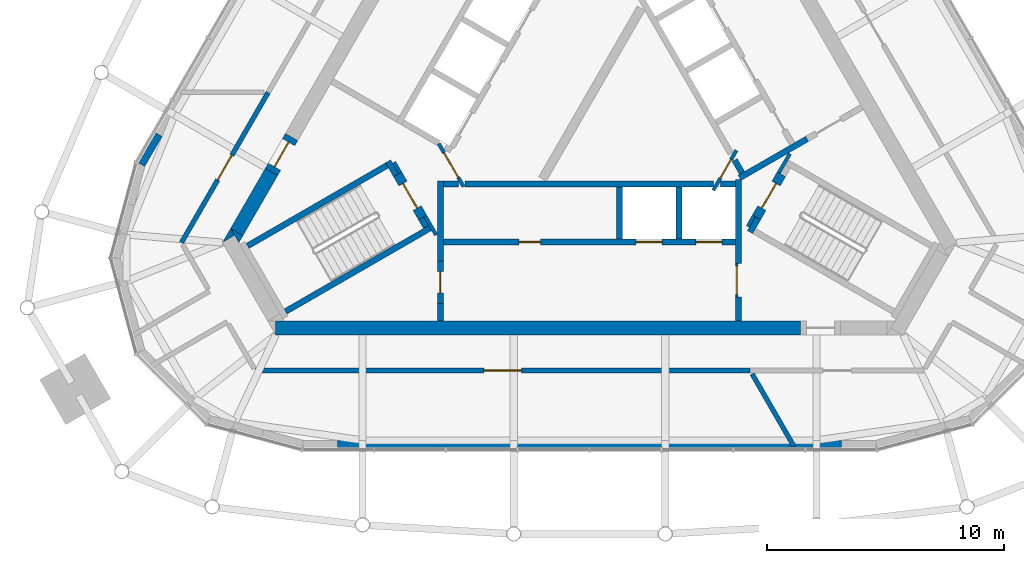
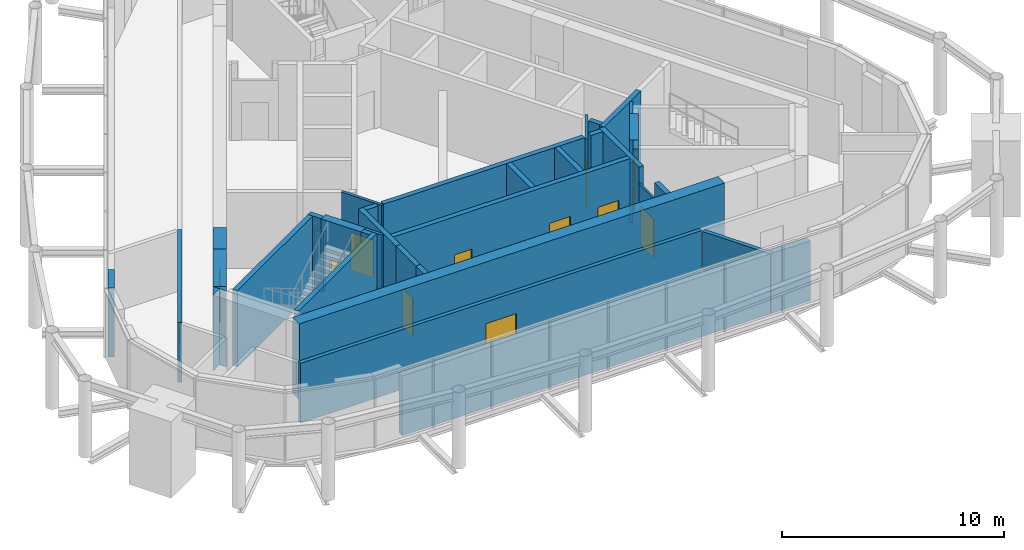
# One storey, part 7 of 11: 37 walls, 12 doors, 12 openings.
"""IFC4 building model written with IfcOpenShell, lengths in metres."""

import ifcopenshell
import ifcopenshell.guid

model = None  # the IFC model being written
_history = None  # IfcOwnerHistory: only IFC2X3 demands one
_inside = {}  # id of a spatial element -> (the spatial element, [elements in it])
_under = {}  # id of a project, library or spatial element -> (it, [spatial elements below it])
_declared = {}  # id of a project -> (the project, [libraries it declares])
_typed = {}  # id of a type object -> (the type object, [elements of that type])
_made_of = {}  # id of a material, layer set ... -> (it, [elements and type objects made of it])


def new_model(schema):
    """Start an empty IFC model of exactly this schema.

    Asked for "IFC4X3", IfcOpenShell would pick the latest addendum, in which some entities
    have other attributes; the version numbers below select the first issue.
    IFC2X3 requires an IfcOwnerHistory on every rooted entity: one is made here for all.
    """
    global model, _history
    if schema == "IFC4X3":
        model = ifcopenshell.file(schema_version=(4, 3, 0, 0))
    else:
        model = ifcopenshell.file(schema=schema)
    _inside.clear()
    _under.clear()
    _declared.clear()
    _typed.clear()
    _made_of.clear()
    _history = None
    if model.schema == "IFC2X3":
        org = make("IfcOrganization", Name="unknown")
        user = make(
            "IfcPersonAndOrganization",
            ThePerson=make("IfcPerson", FamilyName="unknown"),
            TheOrganization=org,
        )
        app = make(
            "IfcApplication",
            ApplicationDeveloper=org,
            Version="unknown",
            ApplicationFullName="unknown",
            ApplicationIdentifier="unknown",
        )
        _history = make(
            "IfcOwnerHistory",
            OwningUser=user,
            OwningApplication=app,
            ChangeAction="ADDED",
            CreationDate=0,
        )
    return model


def make(cls, **values):
    """One entity of the class cls with the attributes given. An attribute that is None is left unset."""
    return model.create_entity(
        cls, **{name: value for name, value in values.items() if value is not None}
    )


def rooted(cls, **values):
    """An entity with a GlobalId (a new one), such as an element, a storey or a relation."""
    return make(cls, GlobalId=ifcopenshell.guid.new(), OwnerHistory=_history, **values)


def si_unit(unit_type, name, prefix=None):
    """IfcSIUnit, for example si_unit("LENGTHUNIT", "METRE", prefix="MILLI")."""
    return make("IfcSIUnit", UnitType=unit_type, Prefix=prefix, Name=name)


def assignment(units):
    """IfcUnitAssignment: the units of a project."""
    return None if units is None else make("IfcUnitAssignment", Units=units)


def point(xyz):
    """IfcCartesianPoint."""
    return None if xyz is None else make("IfcCartesianPoint", Coordinates=xyz)


def direction(xyz):
    """IfcDirection."""
    return None if xyz is None else make("IfcDirection", DirectionRatios=xyz)


def frame(location, z_axis=None, x_axis=None):
    """IfcAxis2Placement3D, a coordinate frame: its origin and axes. An axis left out is left unset."""
    return make(
        "IfcAxis2Placement3D",
        Location=point(location),
        Axis=direction(z_axis),
        RefDirection=direction(x_axis),
    )


def frame_2d(location, x_axis=None):
    """IfcAxis2Placement2D, a coordinate frame in the plane: its origin and x axis."""
    return make(
        "IfcAxis2Placement2D", Location=point(location), RefDirection=direction(x_axis)
    )


def origin():
    """The frame at (0, 0, 0) with its axes left unset."""
    return frame((0.0, 0.0, 0.0))


def place(relative_to, where):
    """IfcLocalPlacement: puts the frame where relative to a parent placement (None: the world)."""
    return make(
        "IfcLocalPlacement", PlacementRelTo=relative_to, RelativePlacement=where
    )


def context(
    kind, dimensions, precision=None, world=None, true_north=None, identifier=None
):
    """IfcGeometricRepresentationContext, for example the 3D "Model" context."""
    return make(
        "IfcGeometricRepresentationContext",
        ContextIdentifier=identifier,
        ContextType=kind,
        CoordinateSpaceDimension=dimensions,
        Precision=precision,
        WorldCoordinateSystem=world,
        TrueNorth=true_north,
    )


def subcontext(parent, identifier, kind, view, scale=None):
    """IfcGeometricRepresentationSubContext, for example "Body" below "Model"."""
    return make(
        "IfcGeometricRepresentationSubContext",
        ContextIdentifier=identifier,
        ContextType=kind,
        ParentContext=parent,
        TargetScale=scale,
        TargetView=view,
    )


def project(units=None, contexts=None):
    """IfcProject with its units and contexts."""
    return rooted(
        "IfcProject",
        Name="project",
        RepresentationContexts=contexts,
        UnitsInContext=assignment(units),
    )


def spatial(cls, under=None, at=None, **own):
    """A site, building, storey or space (cls), placed at a placement, below another one or the project."""
    s = rooted(cls, ObjectPlacement=at, **own)
    if under is not None:
        _under.setdefault(under.id(), (under, []))[1].append(s)
    return s


def polyline(points):
    """IfcPolyline through the points."""
    return make("IfcPolyline", Points=[point(p) for p in points])


def profile(cls, at=None, kind="AREA", **sizes):
    """A parametric profile (cls). Its sizes go by their IFC names, for example OverallWidth=200.0."""
    return make(cls, ProfileType=kind, Position=at, **sizes)


def rectangle(**sizes):
    """IfcRectangleProfileDef."""
    return profile("IfcRectangleProfileDef", **sizes)


def outline(outer, holes=None, kind="AREA"):
    """IfcArbitraryClosedProfileDef: a profile drawn as a closed curve; with holes, ...WithVoids."""
    if holes is None:
        return make("IfcArbitraryClosedProfileDef", ProfileType=kind, OuterCurve=outer)
    return make(
        "IfcArbitraryProfileDefWithVoids",
        ProfileType=kind,
        OuterCurve=outer,
        InnerCurves=holes,
    )


def extrude(swept, where, along, depth):
    """IfcExtrudedAreaSolid: the profile swept, set in the frame where, extruded along a direction by depth."""
    return make(
        "IfcExtrudedAreaSolid",
        SweptArea=swept,
        Position=where,
        ExtrudedDirection=direction(along),
        Depth=depth,
    )


def shape(context_of_items, identifier, shape_type, items):
    """IfcShapeRepresentation: the items that make up one representation, for example the "Body"."""
    return make(
        "IfcShapeRepresentation",
        ContextOfItems=context_of_items,
        RepresentationIdentifier=identifier,
        RepresentationType=shape_type,
        Items=items,
    )


def material(Name=None, Category=None):
    """IfcMaterial."""
    return make("IfcMaterial", Name=Name, Category=Category)


def layer(
    of_material, thickness, ventilated=None, Name=None, Category=None, Priority=None
):
    """IfcMaterialLayer: one layer of a wall or slab, of a material (None: an air gap)."""
    return make(
        "IfcMaterialLayer",
        Material=of_material,
        LayerThickness=thickness,
        IsVentilated=ventilated,
        Name=Name,
        Category=Category,
        Priority=Priority,
    )


def layer_set(layers, Name=None):
    """IfcMaterialLayerSet."""
    return make("IfcMaterialLayerSet", MaterialLayers=layers, LayerSetName=Name)


def made_of(thing, what):
    """Note that an element or type object is made of a material, layer set ...; save() writes the relation."""
    if what is not None:
        _made_of.setdefault(what.id(), (what, []))[1].append(thing)
    return thing


def type_object(cls, material=None, **own):
    """A type object (cls), such as IfcWallType, which elements share."""
    return made_of(rooted(cls, **own), material)


def element(
    cls,
    number,
    at=None,
    inside=None,
    cuts=None,
    type_object=None,
    material=None,
    context=None,
    identifier="Body",
    shape_type=None,
    held_by="IfcProductDefinitionShape",
    body=None,
    shapes=None,
    **own,
):
    """One element of the class cls, such as IfcWall. Its Tag is "e" and its number.

    at: its placement. inside: the storey or other place that contains it. cuts: it is an
    opening in that element (IfcRelVoidsElement). A single representation is given by context,
    identifier, shape_type and body (its items); several are given by shapes. held_by: the class
    of the entity that holds the representations. save() writes the other relations.
    """
    e = rooted(cls, Tag="e%d" % number, ObjectPlacement=at, **own)
    if body is not None:
        shapes = [shape(context, identifier, shape_type, body)]
    if shapes is not None:
        e.Representation = make(held_by, Representations=shapes)
    if inside is not None:
        _inside.setdefault(inside.id(), (inside, []))[1].append(e)
    if cuts is not None:
        rooted(
            "IfcRelVoidsElement", RelatingBuildingElement=cuts, RelatedOpeningElement=e
        )
    if type_object is not None:
        _typed.setdefault(type_object.id(), (type_object, []))[1].append(e)
    return made_of(e, material)


def fill(opening, filler):
    """IfcRelFillsElement: the door or window that sits in an opening."""
    return rooted(
        "IfcRelFillsElement",
        RelatingOpeningElement=opening,
        RelatedBuildingElement=filler,
    )


def aggregate(whole, parts):
    """IfcRelAggregates: a whole, such as a stair, and the parts it consists of."""
    return rooted("IfcRelAggregates", RelatingObject=whole, RelatedObjects=parts)


def save(model, path):
    """Write the relations noted so far, then the file.

    IfcRelAggregates (storeys below a building ...), IfcRelContainedInSpatialStructure (elements
    in a storey), IfcRelDefinesByType, IfcRelAssociatesMaterial and IfcRelDeclares: one each for
    every whole, place, type object, material and project.
    """
    for whole, parts in _under.values():
        aggregate(whole, parts)
    for where, things in _inside.values():
        rooted(
            "IfcRelContainedInSpatialStructure",
            RelatedElements=things,
            RelatingStructure=where,
        )
    for kind, things in _typed.values():
        rooted("IfcRelDefinesByType", RelatedObjects=things, RelatingType=kind)
    for what, things in _made_of.values():
        rooted("IfcRelAssociatesMaterial", RelatedObjects=things, RelatingMaterial=what)
    for by, libraries in _declared.values():
        rooted("IfcRelDeclares", RelatingContext=by, RelatedDefinitions=libraries)
    model.write(path)


model = new_model("IFC4")

# Units and contexts
model_context = context("Model", 3, precision=1e-05, world=origin(), true_north=direction((0.0, 1.0)))
body_context = subcontext(model_context, "Body", "Model", "MODEL_VIEW")
ifc_project = project(units=[si_unit("LENGTHUNIT", "METRE"), si_unit("AREAUNIT", "SQUARE_METRE"), si_unit("VOLUMEUNIT", "CUBIC_METRE"), si_unit("PLANEANGLEUNIT", "RADIAN"), si_unit("MASSUNIT", "GRAM", prefix="KILO")], contexts=[model_context])

# Site, building, storey
site_placement = place(None, origin())
site = spatial("IfcSite", under=ifc_project, at=site_placement, CompositionType="ELEMENT")
building_placement = place(site_placement, origin())
building = spatial("IfcBuilding", under=site, at=building_placement, Name="Mestral Congress Tower", CompositionType="ELEMENT")
storey_placement = place(building_placement, frame((0.0, 0.0, 344.39990234375)))
storey = spatial("IfcBuildingStorey", under=building, at=storey_placement, Name="L80", CompositionType="ELEMENT", Elevation=344.39990234375)

# Walls
ifc_material_1 = material(Name="Fire-rated board partition")
ifc_layer_1 = layer(ifc_material_1, 0.14990234375)
ifc_layer_set_1 = layer_set([ifc_layer_1], Name="Fire-rated board partition")
wall_type_1 = type_object("IfcWallType", Name="Core partition 150", PredefinedType="PARTITIONING", material=ifc_layer_set_1)
for number, where, z_axis, x_axis, name in (
    (1, (-8.251953125, -2.958251953125, 0.0), (0.0, 0.0, 1.0), (0.500174715838, -0.865924508047, 0.0), "L80 core wall"),
    (2, (6.94482421875, -5.22216796875, 0.0), (0.0, 0.0, 1.0), (-0.499818422106, -0.866130212453, 0.0), "L80 core wall"),
):
    element("IfcWall", number, at=place(storey_placement, frame(where, z_axis=z_axis, x_axis=x_axis)), inside=storey, type_object=wall_type_1, Name=name, PredefinedType="PARTITIONING", context=body_context, shape_type="SweptSolid", body=[
        extrude(rectangle(XDim=0.513916015625, YDim=0.14990234375, at=frame_2d((0.2568359375, 0.0))), origin(), (0.0, 0.0, 1.0), 3.300048828125),
    ])

# Wall, opening, door
ifc_layer_2 = layer(ifc_material_1, 0.090087890625)
ifc_layer_set_2 = layer_set([ifc_layer_2], Name="Fire-rated board partition")
wall_type_2 = type_object("IfcWallType", Name="Core partition 150 door-wall 90", PredefinedType="PARTITIONING", material=ifc_layer_set_2)
wall_1_placement = place(storey_placement, frame((6.219970703125, -7.23681640625, 0.0), z_axis=(0.0, 0.0, 1.0), x_axis=(0.0, -1.0, 0.0)))
wall_1 = element("IfcWall", 3, at=wall_1_placement, inside=storey, type_object=wall_type_2, Name="L80 door wall", PredefinedType="PARTITIONING", context=body_context, shape_type="SweptSolid", body=[
    extrude(rectangle(XDim=1.400146484375, YDim=0.090087890625, at=frame_2d((0.7001953125, 0.0))), origin(), (0.0, 0.0, 1.0), 3.300048828125),
])
opening_1_placement = place(wall_1_placement, frame((0.10009765625, 0.0, 0.0)))
opening_1 = element("IfcOpeningElement", 4, at=opening_1_placement, cuts=wall_1, Name="Opening LB0-WL1", PredefinedType="OPENING", context=body_context, shape_type="SweptSolid", body=[
    extrude(rectangle(XDim=1.199951171875, YDim=2.10009765625, at=frame_2d((0.60009765625, 1.050048828125))), frame((0.0, 0.054931640625, 0.0), z_axis=(0.0, -1.0, 0.0), x_axis=(1.0, 0.0, 0.0)), (0.0, 0.0, 1.0), 0.110107421875),
])
ifc_material_2 = material(Name="Fire-rated steel door set", Category="steel")
door_type_1 = type_object("IfcDoorType", Name="Core door LB 1200x2100", OperationType="SINGLE_SWING_LEFT", PredefinedType="DOOR", material=ifc_material_2)
door_1_placement = place(opening_1_placement, origin())
door_1 = element("IfcDoor", 5, at=door_1_placement, inside=storey, type_object=door_type_1, Name="Door LB0-WL1", OperationType="SINGLE_SWING_LEFT", OverallHeight=2.10009765625, OverallWidth=1.199951171875, PredefinedType="DOOR", context=body_context, shape_type="SweptSolid", body=[
    extrude(rectangle(XDim=1.199951171875, YDim=2.10009765625, at=frame_2d((0.60009765625, 1.050048828125))), frame((0.0, 0.02490234375, 0.0), z_axis=(0.0, -1.0, 0.0), x_axis=(1.0, 0.0, 0.0)), (0.0, 0.0, 1.0), 0.050048828125),
])
fill(opening_1, door_1)

# Walls
ifc_material_3 = material(Name="Concrete C60/75", Category="concrete")
ifc_layer_3 = layer(ifc_material_3, 0.60009765625)
ifc_layer_set_3 = layer_set([ifc_layer_3], Name="Concrete C60/75")
wall_type_3 = type_object("IfcWallType", Name="Core wall RC 600", PredefinedType="SOLIDWALL", material=ifc_layer_set_3)
wall_2_placement = place(storey_placement, frame((8.904296875, -9.949951171875, 0.0), z_axis=(0.0, 0.0, 1.0), x_axis=(-1.0, 0.0, 0.0)))
element("IfcWall", 6, at=wall_2_placement, inside=storey, type_object=wall_type_3, Name="L80 core wall", PredefinedType="SOLIDWALL", context=body_context, shape_type="SweptSolid", body=[
    extrude(rectangle(XDim=22.160888671875, YDim=0.60009765625, at=frame_2d((11.08056640625, 0.0))), origin(), (0.0, 0.0, 1.0), 4.2001953125),
])
placement = place(storey_placement, origin())
element("IfcWall", 7, at=placement, inside=storey, type_object=wall_type_3, Name="L80 core wall", PredefinedType="SOLIDWALL", context=body_context, shape_type="SweptSolid", body=[
    extrude(outline(polyline([(-14.986572265625, -6.042724609375), (-15.493408203125, -6.33544921875), (-15.155517578125, -5.75), (-14.986572265625, -6.042724609375)])), origin(), (0.0, 0.0, 1.0), 4.2001953125),
])
wall_4_placement = place(storey_placement, frame((-13.431640625, -3.3642578125, 0.0), z_axis=(0.0, 0.0, 1.0), x_axis=(-0.499960127962, -0.866048422692, 0.0)))
element("IfcWall", 8, at=wall_4_placement, inside=storey, type_object=wall_type_3, Name="L80 core wall", PredefinedType="SOLIDWALL", context=body_context, shape_type="SweptSolid", body=[
    extrude(rectangle(XDim=2.934326171875, YDim=0.60009765625, at=frame_2d((1.46728515625, 0.0))), origin(), (0.0, 0.0, 1.0), 4.2001953125),
])
element("IfcWall", 9, at=placement, inside=storey, type_object=wall_type_3, Name="L80 core wall", PredefinedType="SOLIDWALL", context=body_context, shape_type="SweptSolid", body=[
    extrude(outline(polyline([(-14.80908203125, -6.35009765625), (-15.147216796875, -5.764404296875), (-14.639892578125, -6.057373046875), (-14.80908203125, -6.35009765625)])), origin(), (0.0, 0.0, 1.0), 4.2001953125),
])

# Wall, opening, door
wall_6_placement = place(storey_placement, frame((-13.431640625, -3.3642578125, 0.0), z_axis=(0.0, 0.0, 1.0), x_axis=(0.500000056704, 0.866025371046, 0.0)))
wall_6 = element("IfcWall", 10, at=wall_6_placement, inside=storey, type_object=wall_type_3, Name="L80 door wall", PredefinedType="SOLIDWALL", context=body_context, shape_type="SweptSolid", body=[
    extrude(rectangle(XDim=1.7001953125, YDim=0.60009765625, at=frame_2d((0.85009765625, 0.0))), origin(), (0.0, 0.0, 1.0), 4.2001953125),
])
opening_2_placement = place(wall_6_placement, frame((0.25, 0.0, 0.0)))
opening_2 = element("IfcOpeningElement", 11, at=opening_2_placement, cuts=wall_6, Name="Opening XD3", PredefinedType="OPENING", context=body_context, shape_type="SweptSolid", body=[
    extrude(rectangle(XDim=1.199951171875, YDim=2.10009765625, at=frame_2d((0.60009765625, 1.050048828125))), frame((0.0, 0.31005859375, 0.0), z_axis=(0.0, -1.0, 0.0), x_axis=(1.0, 0.0, 0.0)), (0.0, 0.0, 1.0), 0.6201171875),
])
door_type_2 = type_object("IfcDoorType", Name="Core door XD 1200x2100", OperationType="SINGLE_SWING_LEFT", PredefinedType="DOOR", material=ifc_material_2)
door_2_placement = place(opening_2_placement, origin())
door_2 = element("IfcDoor", 12, at=door_2_placement, inside=storey, type_object=door_type_2, Name="Door XD3", OperationType="SINGLE_SWING_LEFT", OverallHeight=2.10009765625, OverallWidth=1.199951171875, PredefinedType="DOOR", context=body_context, shape_type="SweptSolid", body=[
    extrude(rectangle(XDim=1.199951171875, YDim=2.10009765625, at=frame_2d((0.60009765625, 1.050048828125))), frame((0.0, 0.02490234375, 0.0), z_axis=(0.0, -1.0, 0.0), x_axis=(1.0, 0.0, 0.0)), (0.0, 0.0, 1.0), 0.050048828125),
])
fill(opening_2, door_2)

# Walls
ifc_material_4 = material(Name="Precast concrete C40/50 with limestone facing", Category="masonry")
ifc_layer_4 = layer(ifc_material_4, 0.300048828125)
ifc_layer_set_4 = layer_set([ifc_layer_4], Name="Precast concrete C40/50 with limestone facing")
wall_type_4 = type_object("IfcWallType", Name="Crown plant block wall 300", PredefinedType="SOLIDWALL", material=ifc_layer_set_4)
wall_7_placement = place(storey_placement, frame((-18.180908203125, -1.790283203125, 0.0), z_axis=(0.0, 0.0, 1.0), x_axis=(-0.500049712553, -0.865996700326, 0.0)))
element("IfcWall", 13, at=wall_7_placement, inside=storey, type_object=wall_type_4, Name="Plant block wall 10", PredefinedType="SOLIDWALL", context=body_context, shape_type="SweptSolid", body=[
    extrude(rectangle(XDim=1.463623046875, YDim=0.300048828125, at=frame_2d((0.73193359375, 0.0))), origin(), (0.0, 0.0, 1.0), 3.800048828125),
])
ifc_layer_5 = layer(ifc_material_4, 0.300048828125)
ifc_layer_set_5 = layer_set([ifc_layer_5], Name="Precast concrete C40/50 with limestone facing")
wall_type_5 = type_object("IfcWallType", Name="Crown plant block wall 300 under girder", PredefinedType="SOLIDWALL", material=ifc_layer_set_5)
wall_8_placement = place(storey_placement, frame((-10.640869140625, -14.85009765625, 0.0), z_axis=(0.0, 0.0, 1.0), x_axis=(1.0, 0.0, 0.0)))
element("IfcWall", 14, at=wall_8_placement, inside=storey, type_object=wall_type_5, Name="Plant block wall 15", PredefinedType="SOLIDWALL", context=body_context, shape_type="SweptSolid", body=[
    extrude(rectangle(XDim=21.28173828125, YDim=0.300048828125, at=frame_2d((10.640869140625, 0.0))), origin(), (0.0, 0.0, 1.0), 3.300048828125),
])
ifc_layer_6 = layer(ifc_material_3, 0.25)
ifc_layer_set_6 = layer_set([ifc_layer_6], Name="Concrete C60/75")
wall_type_6 = type_object("IfcWallType", Name="Shaft wall RC 250", PredefinedType="SOLIDWALL", material=ifc_layer_set_6)
wall_9_placement = place(storey_placement, frame((6.300048828125, -7.239990234375, 0.0), z_axis=(0.0, 0.0, 1.0), x_axis=(0.0, 1.0, 0.0)))
element("IfcWall", 15, at=wall_9_placement, inside=storey, type_object=wall_type_6, Name="L80 core wall", PredefinedType="SOLIDWALL", context=body_context, shape_type="SweptSolid", body=[
    extrude(rectangle(XDim=3.55615234375, YDim=0.25, at=frame_2d((1.778076171875, 0.0))), origin(), (0.0, 0.0, 1.0), 4.2001953125),
])
wall_10_placement = place(storey_placement, frame((6.300048828125, -9.64990234375, 0.0), z_axis=(0.0, 0.0, 1.0), x_axis=(0.0, 1.0, 0.0)))
element("IfcWall", 16, at=wall_10_placement, inside=storey, type_object=wall_type_6, Name="L80 core wall", PredefinedType="SOLIDWALL", context=body_context, shape_type="SweptSolid", body=[
    extrude(rectangle(XDim=1.0078125, YDim=0.25, at=frame_2d((0.50390625, 0.0))), origin(), (0.0, 0.0, 1.0), 4.2001953125),
])
wall_11_placement = place(storey_placement, frame((5.538330078125, -3.875, 0.0), z_axis=(0.0, 0.0, 1.0), x_axis=(1.0, 0.0, 0.0)))
element("IfcWall", 17, at=wall_11_placement, inside=storey, type_object=wall_type_6, Name="L80 core wall", PredefinedType="SOLIDWALL", context=body_context, shape_type="SweptSolid", body=[
    extrude(rectangle(XDim=0.63671875, YDim=0.25, at=frame_2d((0.318359375, 0.0))), origin(), (0.0, 0.0, 1.0), 4.2001953125),
])
wall_12_placement = place(storey_placement, frame((-5.25927734375, -3.875, 0.0), z_axis=(0.0, 0.0, 1.0), x_axis=(1.0, 0.0, 0.0)))
element("IfcWall", 18, at=wall_12_placement, inside=storey, type_object=wall_type_6, Name="L80 core wall", PredefinedType="SOLIDWALL", context=body_context, shape_type="SweptSolid", body=[
    extrude(rectangle(XDim=10.488525390625, YDim=0.25, at=frame_2d((5.244140625, 0.0))), origin(), (0.0, 0.0, 1.0), 4.2001953125),
])
for number, where, z_axis, x_axis, name in (
    (19, (1.260009765625, -4.0, 0.0), (0.0, 0.0, 1.0), (0.0, -1.0, 0.0), "L80 core wall"),
    (20, (3.780029296875, -4.0, 0.0), (0.0, 0.0, 1.0), (0.0, -1.0, 0.0), "L80 core wall"),
):
    element("IfcWall", number, at=place(storey_placement, frame(where, z_axis=z_axis, x_axis=x_axis)), inside=storey, type_object=wall_type_6, Name=name, PredefinedType="SOLIDWALL", context=body_context, shape_type="SweptSolid", body=[
        extrude(rectangle(XDim=2.199951171875, YDim=0.25, at=frame_2d((1.10009765625, 0.0))), origin(), (0.0, 0.0, 1.0), 4.2001953125),
    ])
wall_13_placement = place(storey_placement, frame((-6.300048828125, -7.12451171875, 0.0), z_axis=(0.0, 0.0, 1.0), x_axis=(0.0, 1.0, 0.0)))
element("IfcWall", 21, at=wall_13_placement, inside=storey, type_object=wall_type_6, Name="L80 core wall", PredefinedType="SOLIDWALL", context=body_context, shape_type="SweptSolid", body=[
    extrude(rectangle(XDim=3.37451171875, YDim=0.25, at=frame_2d((1.687255859375, 0.0))), origin(), (0.0, 0.0, 1.0), 4.2001953125),
])
wall_14_placement = place(storey_placement, frame((-6.175048828125, -3.875, 0.0), z_axis=(0.0, 0.0, 1.0), x_axis=(1.0, 0.0, 0.0)))
element("IfcWall", 22, at=wall_14_placement, inside=storey, type_object=wall_type_6, Name="L80 core wall", PredefinedType="SOLIDWALL", context=body_context, shape_type="SweptSolid", body=[
    extrude(rectangle(XDim=0.63671875, YDim=0.25, at=frame_2d((0.318359375, 0.0))), origin(), (0.0, 0.0, 1.0), 4.2001953125),
])
wall_15_placement = place(storey_placement, frame((-6.300048828125, -8.9248046875, 0.0), z_axis=(0.0, 0.0, 1.0), x_axis=(0.0, -1.0, 0.0)))
element("IfcWall", 23, at=wall_15_placement, inside=storey, type_object=wall_type_6, Name="L80 core wall", PredefinedType="SOLIDWALL", context=body_context, shape_type="SweptSolid", body=[
    extrude(rectangle(XDim=0.72509765625, YDim=0.25, at=frame_2d((0.362548828125, 0.0))), origin(), (0.0, 0.0, 1.0), 4.2001953125),
])
wall_16_placement = place(storey_placement, frame((9.190185546875, -1.96875, 0.0), z_axis=(0.0, 0.0, 1.0), x_axis=(-0.866057109641, -0.499945079824, 0.0)))
element("IfcWall", 24, at=wall_16_placement, inside=storey, type_object=wall_type_6, Name="L80 core wall", PredefinedType="SOLIDWALL", context=body_context, shape_type="SweptSolid", body=[
    extrude(rectangle(XDim=3.290771484375, YDim=0.25, at=frame_2d((1.6455078125, 0.0))), origin(), (0.0, 0.0, 1.0), 4.2001953125),
])
wall_17_placement = place(storey_placement, frame((6.1298828125, -2.867431640625, 0.0), z_axis=(0.0, 0.0, 1.0), x_axis=(0.500160776593, -0.865932559475, 0.0)))
element("IfcWall", 25, at=wall_17_placement, inside=storey, type_object=wall_type_6, Name="L80 core wall", PredefinedType="SOLIDWALL", context=body_context, shape_type="SweptSolid", body=[
    extrude(rectangle(XDim=0.626708984375, YDim=0.25, at=frame_2d((0.3134765625, 0.0))), origin(), (0.0, 0.0, 1.0), 4.2001953125),
])

# Wall, openings, doors
wall_18_placement = place(storey_placement, frame((-6.175048828125, -6.324951171875, 0.0), z_axis=(0.0, 0.0, 1.0), x_axis=(1.0, 0.0, 0.0)))
wall_18 = element("IfcWall", 26, at=wall_18_placement, inside=storey, type_object=wall_type_6, Name="L80 door wall", PredefinedType="SOLIDWALL", context=body_context, shape_type="SweptSolid", body=[
    extrude(rectangle(XDim=12.35009765625, YDim=0.25, at=frame_2d((6.175048828125, 0.0))), origin(), (0.0, 0.0, 1.0), 4.2001953125),
])
opening_3_placement = place(wall_18_placement, frame((3.205078125, 0.0, 0.0)))
opening_3 = element("IfcOpeningElement", 27, at=opening_3_placement, cuts=wall_18, Name="Opening SR-SOB1", PredefinedType="OPENING", context=body_context, shape_type="SweptSolid", body=[
    extrude(rectangle(XDim=0.89990234375, YDim=2.10009765625, at=frame_2d((0.449951171875, 1.050048828125))), frame((0.0, 0.135009765625, 0.0), z_axis=(0.0, -1.0, 0.0), x_axis=(1.0, 0.0, 0.0)), (0.0, 0.0, 1.0), 0.27001953125),
])
opening_4_placement = place(wall_18_placement, frame((8.14501953125, 0.0, 0.0)))
opening_4 = element("IfcOpeningElement", 28, at=opening_4_placement, cuts=wall_18, Name="Opening LD-SOB4", PredefinedType="OPENING", context=body_context, shape_type="SweptSolid", body=[
    extrude(rectangle(XDim=1.10009765625, YDim=2.10009765625, at=frame_2d((0.550048828125, 1.050048828125))), frame((0.0, 0.135009765625, 0.0), z_axis=(0.0, -1.0, 0.0), x_axis=(1.0, 0.0, 0.0)), (0.0, 0.0, 1.0), 0.27001953125),
])
opening_5_placement = place(wall_18_placement, frame((10.6650390625, 0.0, 0.0)))
opening_5 = element("IfcOpeningElement", 29, at=opening_5_placement, cuts=wall_18, Name="Opening LD-SOB5", PredefinedType="OPENING", context=body_context, shape_type="SweptSolid", body=[
    extrude(rectangle(XDim=1.10009765625, YDim=2.10009765625, at=frame_2d((0.550048828125, 1.050048828125))), frame((0.0, 0.135009765625, 0.0), z_axis=(0.0, -1.0, 0.0), x_axis=(1.0, 0.0, 0.0)), (0.0, 0.0, 1.0), 0.27001953125),
])
door_type_3 = type_object("IfcDoorType", Name="Core door LD 1100x2100", OperationType="DOUBLE_DOOR_SLIDING", PredefinedType="DOOR", material=ifc_material_2)
door_3_placement = place(opening_4_placement, origin())
door_3 = element("IfcDoor", 30, at=door_3_placement, inside=storey, type_object=door_type_3, Name="Door LD-SOB4", OperationType="DOUBLE_DOOR_SLIDING", OverallHeight=2.10009765625, OverallWidth=1.10009765625, PredefinedType="DOOR", context=body_context, shape_type="SweptSolid", body=[
    extrude(rectangle(XDim=1.10009765625, YDim=2.10009765625, at=frame_2d((0.550048828125, 1.050048828125))), frame((0.0, 0.02490234375, 0.0), z_axis=(0.0, -1.0, 0.0), x_axis=(1.0, 0.0, 0.0)), (0.0, 0.0, 1.0), 0.050048828125),
])
fill(opening_4, door_3)
door_4_placement = place(opening_5_placement, origin())
door_4 = element("IfcDoor", 31, at=door_4_placement, inside=storey, type_object=door_type_3, Name="Door LD-SOB5", OperationType="DOUBLE_DOOR_SLIDING", OverallHeight=2.10009765625, OverallWidth=1.10009765625, PredefinedType="DOOR", context=body_context, shape_type="SweptSolid", body=[
    extrude(rectangle(XDim=1.10009765625, YDim=2.10009765625, at=frame_2d((0.550048828125, 1.050048828125))), frame((0.0, 0.02490234375, 0.0), z_axis=(0.0, -1.0, 0.0), x_axis=(1.0, 0.0, 0.0)), (0.0, 0.0, 1.0), 0.050048828125),
])
fill(opening_5, door_4)
door_type_4 = type_object("IfcDoorType", Name="Core door SR 900x2100", OperationType="SINGLE_SWING_LEFT", PredefinedType="DOOR", material=ifc_material_2)
door_5_placement = place(opening_3_placement, origin())
door_5 = element("IfcDoor", 32, at=door_5_placement, inside=storey, type_object=door_type_4, Name="Door SR-SOB1", OperationType="SINGLE_SWING_LEFT", OverallHeight=2.10009765625, OverallWidth=0.89990234375, PredefinedType="DOOR", context=body_context, shape_type="SweptSolid", body=[
    extrude(rectangle(XDim=0.89990234375, YDim=2.10009765625, at=frame_2d((0.449951171875, 1.050048828125))), frame((0.0, 0.02490234375, 0.0), z_axis=(0.0, -1.0, 0.0), x_axis=(1.0, 0.0, 0.0)), (0.0, 0.0, 1.0), 0.050048828125),
])
fill(opening_3, door_5)

# Wall, opening, door
wall_19_placement = place(storey_placement, frame((-6.300048828125, -7.12451171875, 0.0), z_axis=(0.0, 0.0, 1.0), x_axis=(0.0, -1.0, 0.0)))
wall_19 = element("IfcWall", 33, at=wall_19_placement, inside=storey, type_object=wall_type_6, Name="L80 door wall", PredefinedType="SOLIDWALL", context=body_context, shape_type="SweptSolid", body=[
    extrude(rectangle(XDim=1.800048828125, YDim=0.25, at=frame_2d((0.89990234375, 0.0))), origin(), (0.0, 0.0, 1.0), 4.2001953125),
])
opening_6_placement = place(wall_19_placement, frame((0.449951171875, 0.0, 0.0)))
opening_6 = element("IfcOpeningElement", 34, at=opening_6_placement, cuts=wall_19, Name="Opening TD3", PredefinedType="OPENING", context=body_context, shape_type="SweptSolid", body=[
    extrude(rectangle(XDim=0.89990234375, YDim=2.10009765625, at=frame_2d((0.449951171875, 1.050048828125))), frame((0.0, 0.135009765625, 0.0), z_axis=(0.0, -1.0, 0.0), x_axis=(1.0, 0.0, 0.0)), (0.0, 0.0, 1.0), 0.27001953125),
])
door_6_placement = place(opening_6_placement, origin())
door_6 = element("IfcDoor", 35, at=door_6_placement, inside=storey, type_object=door_type_4, Name="Door TD3", OperationType="SINGLE_SWING_LEFT", OverallHeight=2.10009765625, OverallWidth=0.89990234375, PredefinedType="DOOR", context=body_context, shape_type="SweptSolid", body=[
    extrude(rectangle(XDim=0.89990234375, YDim=2.10009765625, at=frame_2d((0.449951171875, 1.050048828125))), frame((0.0, 0.02490234375, 0.0), z_axis=(0.0, -1.0, 0.0), x_axis=(1.0, 0.0, 0.0)), (0.0, 0.0, 1.0), 0.050048828125),
])
fill(opening_6, door_6)

# Walls
ifc_layer_7 = layer(ifc_material_3, 0.14990234375)
ifc_layer_set_7 = layer_set([ifc_layer_7], Name="Concrete C60/75")
wall_type_7 = type_object("IfcWallType", Name="Shaft wall RC 250 door-wall 150", PredefinedType="SOLIDWALL", material=ifc_layer_set_7)
wall_20_placement = place(storey_placement, frame((-6.48046875, -6.026611328125, 0.0), z_axis=(0.0, 0.0, 1.0), x_axis=(-0.499927229454, 0.866067413802, 0.0)))
element("IfcWall", 36, at=wall_20_placement, inside=storey, type_object=wall_type_7, Name="L80 core wall", PredefinedType="PARTITIONING", context=body_context, shape_type="SweptSolid", body=[
    extrude(rectangle(XDim=0.928955078125, YDim=0.14990234375, at=frame_2d((0.46435546875, 0.0))), origin(), (0.0, 0.0, 1.0), 4.2001953125),
])
wall_21_placement = place(storey_placement, frame((8.459228515625, -2.59912109375, 0.0), z_axis=(0.0, 0.0, 1.0), x_axis=(-0.500041054325, -0.866001699761, 0.0)))
element("IfcWall", 37, at=wall_21_placement, inside=storey, type_object=wall_type_7, Name="L80 core wall", PredefinedType="PARTITIONING", context=body_context, shape_type="SweptSolid", body=[
    extrude(rectangle(XDim=0.9287109375, YDim=0.14990234375, at=frame_2d((0.46435546875, 0.0))), origin(), (0.0, 0.0, 1.0), 4.2001953125),
])

# Wall, opening, door
wall_22_placement = place(storey_placement, frame((6.203369140625, -2.45556640625, 0.0), z_axis=(0.0, 0.0, 1.0), x_axis=(-0.500043961785, -0.866000020948, 0.0)))
wall_22 = element("IfcWall", 38, at=wall_22_placement, inside=storey, type_object=wall_type_7, Name="L80 door wall", PredefinedType="PARTITIONING", context=body_context, shape_type="SweptSolid", body=[
    extrude(rectangle(XDim=1.949951171875, YDim=0.14990234375, at=frame_2d((0.97509765625, 0.0))), origin(), (0.0, 0.0, 1.0), 4.2001953125),
])
opening_7_placement = place(wall_22_placement, frame((0.449951171875, 0.0, 0.0)))
opening_7 = element("IfcOpeningElement", 39, at=opening_7_placement, cuts=wall_22, Name="Opening CD1-HUB0", PredefinedType="OPENING", context=body_context, shape_type="SweptSolid", body=[
    extrude(rectangle(XDim=0.89990234375, YDim=2.10009765625, at=frame_2d((0.449951171875, 1.050048828125))), frame((0.0, 0.0849609375, 0.0), z_axis=(0.0, -1.0, 0.0), x_axis=(1.0, 0.0, 0.0)), (0.0, 0.0, 1.0), 0.169921875),
])
door_type_5 = type_object("IfcDoorType", Name="Core door CD 900x2100", OperationType="SINGLE_SWING_LEFT", PredefinedType="DOOR", material=ifc_material_2)
door_7_placement = place(opening_7_placement, origin())
door_7 = element("IfcDoor", 40, at=door_7_placement, inside=storey, type_object=door_type_5, Name="Door CD1-HUB0", OperationType="SINGLE_SWING_LEFT", OverallHeight=2.10009765625, OverallWidth=0.89990234375, PredefinedType="DOOR", context=body_context, shape_type="SweptSolid", body=[
    extrude(rectangle(XDim=0.89990234375, YDim=2.10009765625, at=frame_2d((0.449951171875, 1.050048828125))), frame((0.0, 0.02490234375, 0.0), z_axis=(0.0, -1.0, 0.0), x_axis=(1.0, 0.0, 0.0)), (0.0, 0.0, 1.0), 0.050048828125),
])
fill(opening_7, door_7)

wall_23_placement = place(storey_placement, frame((-5.3173828125, -3.98974609375, 0.0), z_axis=(0.0, 0.0, 1.0), x_axis=(-0.500027713859, 0.866009402589, 0.0)))
wall_23 = element("IfcWall", 41, at=wall_23_placement, inside=storey, type_object=wall_type_7, Name="L80 door wall", PredefinedType="PARTITIONING", context=body_context, shape_type="SweptSolid", body=[
    extrude(rectangle(XDim=2.10009765625, YDim=0.14990234375, at=frame_2d((1.050048828125, 0.0))), origin(), (0.0, 0.0, 1.0), 4.2001953125),
])
opening_8_placement = place(wall_23_placement, frame((0.449951171875, 0.0, 0.0)))
opening_8 = element("IfcOpeningElement", 42, at=opening_8_placement, cuts=wall_23, Name="Opening CD3-FF", PredefinedType="OPENING", context=body_context, shape_type="SweptSolid", body=[
    extrude(rectangle(XDim=1.199951171875, YDim=2.10009765625, at=frame_2d((0.60009765625, 1.050048828125))), frame((0.0, 0.0849609375, 0.0), z_axis=(0.0, -1.0, 0.0), x_axis=(1.0, 0.0, 0.0)), (0.0, 0.0, 1.0), 0.169921875),
])
door_type_6 = type_object("IfcDoorType", Name="Core door CD 1200x2100", OperationType="SINGLE_SWING_LEFT", PredefinedType="DOOR", material=ifc_material_2)
door_8_placement = place(opening_8_placement, origin())
door_8 = element("IfcDoor", 43, at=door_8_placement, inside=storey, type_object=door_type_6, Name="Door CD3-FF", OperationType="SINGLE_SWING_LEFT", OverallHeight=2.10009765625, OverallWidth=1.199951171875, PredefinedType="DOOR", context=body_context, shape_type="SweptSolid", body=[
    extrude(rectangle(XDim=1.199951171875, YDim=2.10009765625, at=frame_2d((0.60009765625, 1.050048828125))), frame((0.0, 0.02490234375, 0.0), z_axis=(0.0, -1.0, 0.0), x_axis=(1.0, 0.0, 0.0)), (0.0, 0.0, 1.0), 0.050048828125),
])
fill(opening_8, door_8)

ifc_material_5 = material(Name="Concrete block wall, plastered", Category="concrete")
ifc_layer_8 = layer(ifc_material_5, 0.199951171875)
ifc_layer_set_8 = layer_set([ifc_layer_8], Name="Concrete block wall, plastered")
wall_type_8 = type_object("IfcWallType", Name="Special partition 200 EI 120", PredefinedType="PARTITIONING", material=ifc_layer_set_8)
wall_24_placement = place(storey_placement, frame((-14.1162109375, -11.75, 0.0), z_axis=(0.0, 0.0, 1.0), x_axis=(1.0, 0.0, 0.0)))
wall_24 = element("IfcWall", 44, at=wall_24_placement, inside=storey, type_object=wall_type_8, Name="Partition", PredefinedType="PARTITIONING", context=body_context, shape_type="SweptSolid", body=[
    extrude(rectangle(XDim=20.900390625, YDim=0.199951171875, at=frame_2d((10.4501953125, 0.0))), origin(), (0.0, 0.0, 1.0), 3.300048828125),
])
opening_9_placement = place(wall_24_placement, frame((9.650146484375, 0.0, 0.0)))
opening_9 = element("IfcOpeningElement", 45, at=opening_9_placement, cuts=wall_24, Name="Opening K80-002", PredefinedType="OPENING", context=body_context, shape_type="SweptSolid", body=[
    extrude(rectangle(XDim=1.60009765625, YDim=2.10009765625, at=frame_2d((0.800048828125, 1.050048828125))), frame((0.0, 0.10986328125, 0.0), z_axis=(0.0, -1.0, 0.0), x_axis=(1.0, 0.0, 0.0)), (0.0, 0.0, 1.0), 0.219970703125),
])
door_type_7 = type_object("IfcDoorType", Name="Plant room double door 1600x2100", OperationType="DOUBLE_DOOR_SINGLE_SWING", PredefinedType="DOOR", material=ifc_material_2)
door_9_placement = place(opening_9_placement, origin())
door_9 = element("IfcDoor", 46, at=door_9_placement, inside=storey, type_object=door_type_7, Name="Door K80-002", OperationType="DOUBLE_DOOR_SINGLE_SWING", OverallHeight=2.10009765625, OverallWidth=1.60009765625, PredefinedType="DOOR", context=body_context, shape_type="SweptSolid", body=[
    extrude(rectangle(XDim=1.60009765625, YDim=2.10009765625, at=frame_2d((0.800048828125, 1.050048828125))), frame((0.0, 0.02490234375, 0.0), z_axis=(0.0, -1.0, 0.0), x_axis=(1.0, 0.0, 0.0)), (0.0, 0.0, 1.0), 0.050048828125),
])
fill(opening_9, door_9)

wall_25_placement = place(storey_placement, frame((-13.572509765625, -0.008544921875, 0.0), z_axis=(0.0, 0.0, 1.0), x_axis=(-0.50000817069, -0.866020686383, 0.0)))
wall_25 = element("IfcWall", 47, at=wall_25_placement, inside=storey, type_object=wall_type_8, Name="Partition", PredefinedType="PARTITIONING", context=body_context, shape_type="SweptSolid", body=[
    extrude(rectangle(XDim=7.32275390625, YDim=0.199951171875, at=frame_2d((3.661376953125, 0.0))), origin(), (0.0, 0.0, 1.0), 3.300048828125),
])
opening_10_placement = place(wall_25_placement, frame((3.061279296875, 0.0, 0.0)))
opening_10 = element("IfcOpeningElement", 48, at=opening_10_placement, cuts=wall_25, Name="Opening K80-001", PredefinedType="OPENING", context=body_context, shape_type="SweptSolid", body=[
    extrude(rectangle(XDim=1.199951171875, YDim=2.10009765625, at=frame_2d((0.60009765625, 1.050048828125))), frame((0.0, 0.10986328125, 0.0), z_axis=(0.0, -1.0, 0.0), x_axis=(1.0, 0.0, 0.0)), (0.0, 0.0, 1.0), 0.219970703125),
])
door_type_8 = type_object("IfcDoorType", Name="Plant room door 1200x2100", OperationType="SINGLE_SWING_LEFT", PredefinedType="DOOR", material=ifc_material_2)
door_10_placement = place(opening_10_placement, origin())
door_10 = element("IfcDoor", 49, at=door_10_placement, inside=storey, type_object=door_type_8, Name="Door K80-001", OperationType="SINGLE_SWING_RIGHT", OverallHeight=2.10009765625, OverallWidth=1.199951171875, PredefinedType="DOOR", context=body_context, shape_type="SweptSolid", body=[
    extrude(rectangle(XDim=1.199951171875, YDim=2.10009765625, at=frame_2d((0.60009765625, 1.050048828125))), frame((0.0, 0.02490234375, 0.0), z_axis=(0.0, -1.0, 0.0), x_axis=(1.0, 0.0, 0.0)), (0.0, 0.0, 1.0), 0.050048828125),
])
fill(opening_10, door_10)

# Walls
wall_26_placement = place(storey_placement, frame((6.868896484375, -11.897216796875, 0.0), z_axis=(0.0, 0.0, 1.0), x_axis=(0.499985409597, -0.866033827394, 0.0)))
element("IfcWall", 50, at=wall_26_placement, inside=storey, type_object=wall_type_8, Name="Partition", PredefinedType="PARTITIONING", context=body_context, shape_type="SweptSolid", body=[
    extrude(rectangle(XDim=3.5361328125, YDim=0.199951171875, at=frame_2d((1.76806640625, 0.0))), origin(), (0.0, 0.0, 1.0), 3.300048828125),
])
ifc_layer_9 = layer(ifc_material_3, 0.25)
ifc_layer_set_9 = layer_set([ifc_layer_9], Name="Concrete C60/75")
wall_type_9 = type_object("IfcWallType", Name="Stair wall RC 250", PredefinedType="SOLIDWALL", material=ifc_layer_set_9)
wall_27_placement = place(storey_placement, frame((6.780029296875, -5.906494140625, 0.0), z_axis=(0.0, 0.0, 1.0), x_axis=(0.500223362819, 0.865896406789, 0.0)))
element("IfcWall", 51, at=wall_27_placement, inside=storey, type_object=wall_type_9, Name="L80 core wall", PredefinedType="SOLIDWALL", context=body_context, shape_type="SweptSolid", body=[
    extrude(rectangle(XDim=0.675048828125, YDim=0.25, at=frame_2d((0.33740234375, 0.0))), origin(), (0.0, 0.0, 1.0), 4.2001953125),
])
wall_28_placement = place(storey_placement, frame((-14.43994140625, -6.489501953125, 0.0), z_axis=(0.0, 0.0, 1.0), x_axis=(0.866022966069, 0.500004222222, 0.0)))
element("IfcWall", 52, at=wall_28_placement, inside=storey, type_object=wall_type_9, Name="L80 core wall", PredefinedType="SOLIDWALL", context=body_context, shape_type="SweptSolid", body=[
    extrude(rectangle(XDim=6.80029296875, YDim=0.25, at=frame_2d((3.400146484375, 0.0))), origin(), (0.0, 0.0, 1.0), 4.2001953125),
])
wall_29_placement = place(storey_placement, frame((-8.167724609375, -3.503173828125, 0.0), z_axis=(0.0, 0.0, 1.0), x_axis=(-0.499952099219, 0.866053057547, 0.0)))
element("IfcWall", 53, at=wall_29_placement, inside=storey, type_object=wall_type_9, Name="L80 core wall", PredefinedType="SOLIDWALL", context=body_context, shape_type="SweptSolid", body=[
    extrude(rectangle(XDim=0.6748046875, YDim=0.25, at=frame_2d((0.33740234375, 0.0))), origin(), (0.0, 0.0, 1.0), 4.2001953125),
])
wall_30_placement = place(storey_placement, frame((-12.83984375, -9.2607421875, 0.0), z_axis=(0.0, 0.0, 1.0), x_axis=(0.866016039709, 0.500016218704, 0.0)))
element("IfcWall", 54, at=wall_30_placement, inside=storey, type_object=wall_type_9, Name="L80 core wall", PredefinedType="SOLIDWALL", context=body_context, shape_type="SweptSolid", body=[
    extrude(rectangle(XDim=7.050048828125, YDim=0.25, at=frame_2d((3.52490234375, 0.0))), origin(), (0.0, 0.0, 1.0), 4.2001953125),
])
wall_31_placement = place(storey_placement, frame((-6.905029296875, -5.68994140625, 0.0), z_axis=(0.0, 0.0, 1.0), x_axis=(-0.500402024738, 0.865793170242, 0.0)))
element("IfcWall", 55, at=wall_31_placement, inside=storey, type_object=wall_type_9, Name="L80 core wall", PredefinedType="SOLIDWALL", context=body_context, shape_type="SweptSolid", body=[
    extrude(rectangle(XDim=0.425048828125, YDim=0.25, at=frame_2d((0.21240234375, 0.0))), origin(), (0.0, 0.0, 1.0), 4.2001953125),
])

# Wall, opening, door
ifc_layer_10 = layer(ifc_material_3, 0.39990234375)
ifc_layer_set_10 = layer_set([ifc_layer_10], Name="Concrete C60/75")
wall_type_10 = type_object("IfcWallType", Name="Stair wall RC 250 door-wall 400", PredefinedType="SOLIDWALL", material=ifc_layer_set_10)
wall_32_placement = place(storey_placement, frame((7.052734375, -5.2841796875, 0.0), z_axis=(0.0, 0.0, 1.0), x_axis=(0.500078061341, 0.865980330357, 0.0)))
wall_32 = element("IfcWall", 56, at=wall_32_placement, inside=storey, type_object=wall_type_10, Name="L80 door wall", PredefinedType="SOLIDWALL", context=body_context, shape_type="SweptSolid", body=[
    extrude(rectangle(XDim=2.099853515625, YDim=0.39990234375, at=frame_2d((1.0498046875, 0.0))), origin(), (0.0, 0.0, 1.0), 4.2001953125),
])
opening_11_placement = place(wall_32_placement, frame((0.449951171875, 0.0, 0.0)))
opening_11 = element("IfcOpeningElement", 57, at=opening_11_placement, cuts=wall_32, Name="Opening ST-D1", PredefinedType="OPENING", context=body_context, shape_type="SweptSolid", body=[
    extrude(rectangle(XDim=1.199951171875, YDim=2.10009765625, at=frame_2d((0.60009765625, 1.050048828125))), frame((0.0, 0.2099609375, 0.0), z_axis=(0.0, -1.0, 0.0), x_axis=(1.0, 0.0, 0.0)), (0.0, 0.0, 1.0), 0.419921875),
])
door_type_9 = type_object("IfcDoorType", Name="Core door ST 1200x2100", OperationType="SINGLE_SWING_LEFT", PredefinedType="DOOR", material=ifc_material_2)
door_11_placement = place(opening_11_placement, origin())
door_11 = element("IfcDoor", 58, at=door_11_placement, inside=storey, type_object=door_type_9, Name="Door ST-D1", OperationType="SINGLE_SWING_LEFT", OverallHeight=2.10009765625, OverallWidth=1.199951171875, PredefinedType="DOOR", context=body_context, shape_type="SweptSolid", body=[
    extrude(rectangle(XDim=1.199951171875, YDim=2.10009765625, at=frame_2d((0.60009765625, 1.050048828125))), frame((0.0, 0.02490234375, 0.0), z_axis=(0.0, -1.0, 0.0), x_axis=(1.0, 0.0, 0.0)), (0.0, 0.0, 1.0), 0.050048828125),
])
fill(opening_11, door_11)

wall_33_placement = place(storey_placement, frame((-8.102783203125, -3.4658203125, 0.0), z_axis=(0.0, 0.0, 1.0), x_axis=(0.500078061341, -0.865980330357, 0.0)))
wall_33 = element("IfcWall", 59, at=wall_33_placement, inside=storey, type_object=wall_type_10, Name="L80 door wall", PredefinedType="SOLIDWALL", context=body_context, shape_type="SweptSolid", body=[
    extrude(rectangle(XDim=2.099853515625, YDim=0.39990234375, at=frame_2d((1.0498046875, 0.0))), origin(), (0.0, 0.0, 1.0), 4.2001953125),
])
opening_12_placement = place(wall_33_placement, frame((0.449951171875, 0.0, 0.0)))
opening_12 = element("IfcOpeningElement", 60, at=opening_12_placement, cuts=wall_33, Name="Opening ST-D3", PredefinedType="OPENING", context=body_context, shape_type="SweptSolid", body=[
    extrude(rectangle(XDim=1.199951171875, YDim=2.10009765625, at=frame_2d((0.60009765625, 1.050048828125))), frame((0.0, 0.2099609375, 0.0), z_axis=(0.0, -1.0, 0.0), x_axis=(1.0, 0.0, 0.0)), (0.0, 0.0, 1.0), 0.419921875),
])
door_12_placement = place(opening_12_placement, origin())
door_12 = element("IfcDoor", 61, at=door_12_placement, inside=storey, type_object=door_type_9, Name="Door ST-D3", OperationType="SINGLE_SWING_LEFT", OverallHeight=2.10009765625, OverallWidth=1.199951171875, PredefinedType="DOOR", context=body_context, shape_type="SweptSolid", body=[
    extrude(rectangle(XDim=1.199951171875, YDim=2.10009765625, at=frame_2d((0.60009765625, 1.050048828125))), frame((0.0, 0.02490234375, 0.0), z_axis=(0.0, -1.0, 0.0), x_axis=(1.0, 0.0, 0.0)), (0.0, 0.0, 1.0), 0.050048828125),
])
fill(opening_12, door_12)

save(model, "model.ifc")
